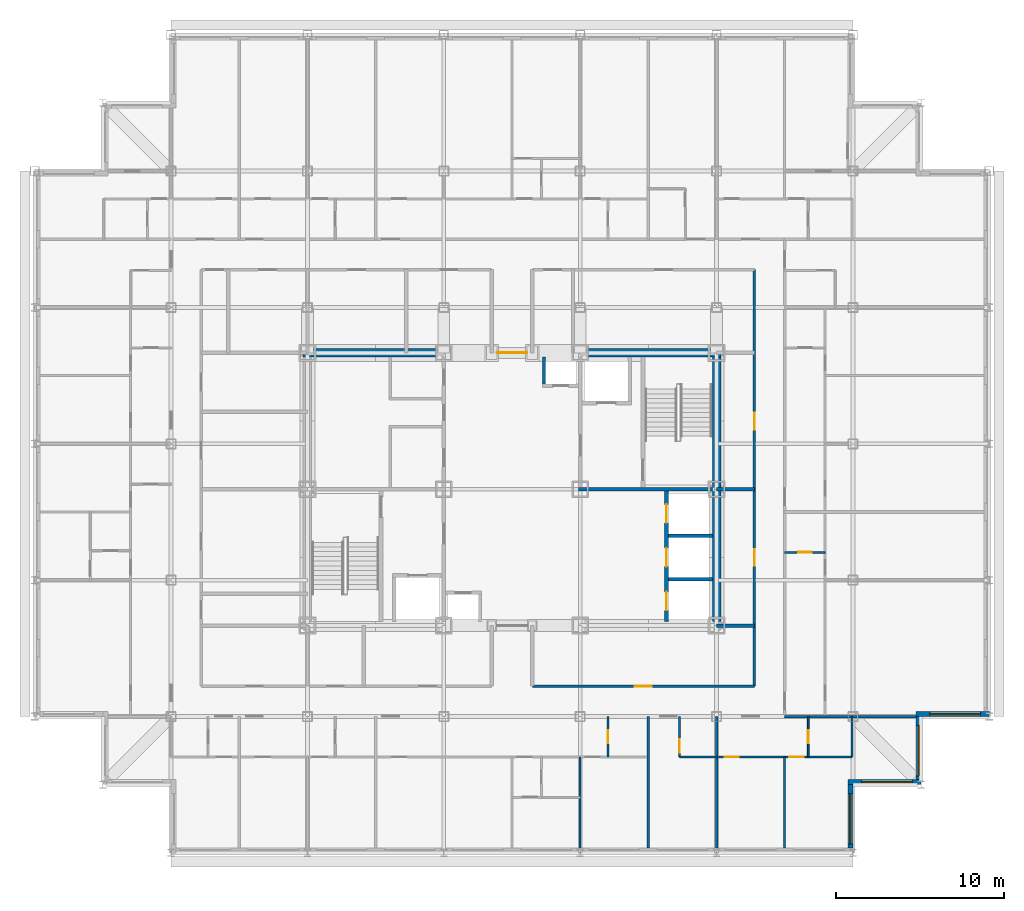
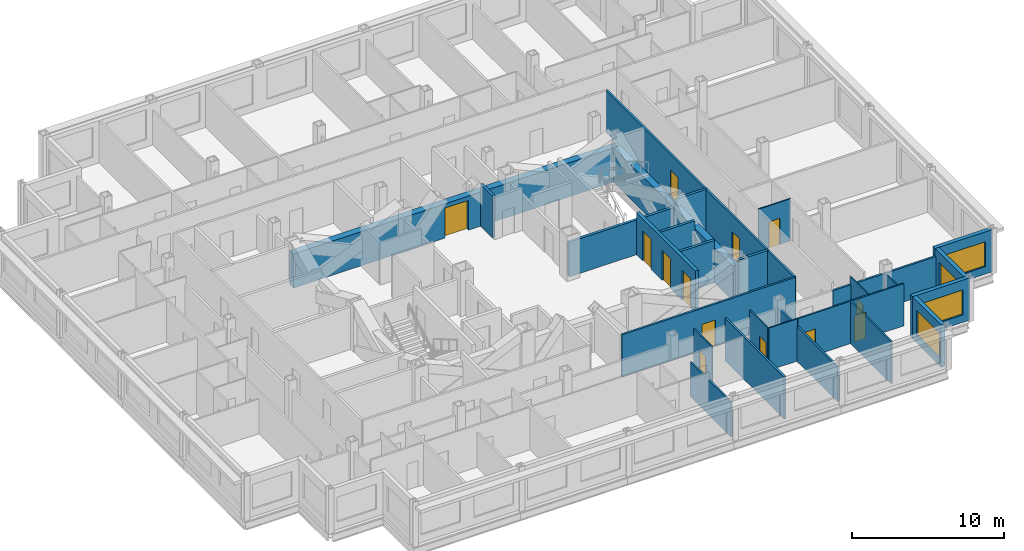
# One storey, part 7 of 12: 27 walls, 13 doors, 4 windows, 17 openings.
"""IFC4 building model written with IfcOpenShell, lengths in metres."""

import ifcopenshell
import ifcopenshell.guid

model = None  # the IFC model being written
_history = None  # IfcOwnerHistory: only IFC2X3 demands one
_inside = {}  # id of a spatial element -> (the spatial element, [elements in it])
_under = {}  # id of a project, library or spatial element -> (it, [spatial elements below it])
_declared = {}  # id of a project -> (the project, [libraries it declares])
_typed = {}  # id of a type object -> (the type object, [elements of that type])
_made_of = {}  # id of a material, layer set ... -> (it, [elements and type objects made of it])


def new_model(schema):
    """Start an empty IFC model of exactly this schema.

    Asked for "IFC4X3", IfcOpenShell would pick the latest addendum, in which some entities
    have other attributes; the version numbers below select the first issue.
    IFC2X3 requires an IfcOwnerHistory on every rooted entity: one is made here for all.
    """
    global model, _history
    if schema == "IFC4X3":
        model = ifcopenshell.file(schema_version=(4, 3, 0, 0))
    else:
        model = ifcopenshell.file(schema=schema)
    _inside.clear()
    _under.clear()
    _declared.clear()
    _typed.clear()
    _made_of.clear()
    _history = None
    if model.schema == "IFC2X3":
        org = make("IfcOrganization", Name="unknown")
        user = make(
            "IfcPersonAndOrganization",
            ThePerson=make("IfcPerson", FamilyName="unknown"),
            TheOrganization=org,
        )
        app = make(
            "IfcApplication",
            ApplicationDeveloper=org,
            Version="unknown",
            ApplicationFullName="unknown",
            ApplicationIdentifier="unknown",
        )
        _history = make(
            "IfcOwnerHistory",
            OwningUser=user,
            OwningApplication=app,
            ChangeAction="ADDED",
            CreationDate=0,
        )
    return model


def make(cls, **values):
    """One entity of the class cls with the attributes given. An attribute that is None is left unset."""
    return model.create_entity(
        cls, **{name: value for name, value in values.items() if value is not None}
    )


def rooted(cls, **values):
    """An entity with a GlobalId (a new one), such as an element, a storey or a relation."""
    return make(cls, GlobalId=ifcopenshell.guid.new(), OwnerHistory=_history, **values)


def si_unit(unit_type, name, prefix=None):
    """IfcSIUnit, for example si_unit("LENGTHUNIT", "METRE", prefix="MILLI")."""
    return make("IfcSIUnit", UnitType=unit_type, Prefix=prefix, Name=name)


def assignment(units):
    """IfcUnitAssignment: the units of a project."""
    return None if units is None else make("IfcUnitAssignment", Units=units)


def point(xyz):
    """IfcCartesianPoint."""
    return None if xyz is None else make("IfcCartesianPoint", Coordinates=xyz)


def direction(xyz):
    """IfcDirection."""
    return None if xyz is None else make("IfcDirection", DirectionRatios=xyz)


def frame(location, z_axis=None, x_axis=None):
    """IfcAxis2Placement3D, a coordinate frame: its origin and axes. An axis left out is left unset."""
    return make(
        "IfcAxis2Placement3D",
        Location=point(location),
        Axis=direction(z_axis),
        RefDirection=direction(x_axis),
    )


def frame_2d(location, x_axis=None):
    """IfcAxis2Placement2D, a coordinate frame in the plane: its origin and x axis."""
    return make(
        "IfcAxis2Placement2D", Location=point(location), RefDirection=direction(x_axis)
    )


def origin():
    """The frame at (0, 0, 0) with its axes left unset."""
    return frame((0.0, 0.0, 0.0))


def place(relative_to, where):
    """IfcLocalPlacement: puts the frame where relative to a parent placement (None: the world)."""
    return make(
        "IfcLocalPlacement", PlacementRelTo=relative_to, RelativePlacement=where
    )


def context(
    kind, dimensions, precision=None, world=None, true_north=None, identifier=None
):
    """IfcGeometricRepresentationContext, for example the 3D "Model" context."""
    return make(
        "IfcGeometricRepresentationContext",
        ContextIdentifier=identifier,
        ContextType=kind,
        CoordinateSpaceDimension=dimensions,
        Precision=precision,
        WorldCoordinateSystem=world,
        TrueNorth=true_north,
    )


def subcontext(parent, identifier, kind, view, scale=None):
    """IfcGeometricRepresentationSubContext, for example "Body" below "Model"."""
    return make(
        "IfcGeometricRepresentationSubContext",
        ContextIdentifier=identifier,
        ContextType=kind,
        ParentContext=parent,
        TargetScale=scale,
        TargetView=view,
    )


def project(units=None, contexts=None):
    """IfcProject with its units and contexts."""
    return rooted(
        "IfcProject",
        Name="project",
        RepresentationContexts=contexts,
        UnitsInContext=assignment(units),
    )


def spatial(cls, under=None, at=None, **own):
    """A site, building, storey or space (cls), placed at a placement, below another one or the project."""
    s = rooted(cls, ObjectPlacement=at, **own)
    if under is not None:
        _under.setdefault(under.id(), (under, []))[1].append(s)
    return s


def profile(cls, at=None, kind="AREA", **sizes):
    """A parametric profile (cls). Its sizes go by their IFC names, for example OverallWidth=200.0."""
    return make(cls, ProfileType=kind, Position=at, **sizes)


def rectangle(**sizes):
    """IfcRectangleProfileDef."""
    return profile("IfcRectangleProfileDef", **sizes)


def extrude(swept, where, along, depth):
    """IfcExtrudedAreaSolid: the profile swept, set in the frame where, extruded along a direction by depth."""
    return make(
        "IfcExtrudedAreaSolid",
        SweptArea=swept,
        Position=where,
        ExtrudedDirection=direction(along),
        Depth=depth,
    )


def shape(context_of_items, identifier, shape_type, items):
    """IfcShapeRepresentation: the items that make up one representation, for example the "Body"."""
    return make(
        "IfcShapeRepresentation",
        ContextOfItems=context_of_items,
        RepresentationIdentifier=identifier,
        RepresentationType=shape_type,
        Items=items,
    )


def material(Name=None, Category=None):
    """IfcMaterial."""
    return make("IfcMaterial", Name=Name, Category=Category)


def layer(
    of_material, thickness, ventilated=None, Name=None, Category=None, Priority=None
):
    """IfcMaterialLayer: one layer of a wall or slab, of a material (None: an air gap)."""
    return make(
        "IfcMaterialLayer",
        Material=of_material,
        LayerThickness=thickness,
        IsVentilated=ventilated,
        Name=Name,
        Category=Category,
        Priority=Priority,
    )


def layer_set(layers, Name=None):
    """IfcMaterialLayerSet."""
    return make("IfcMaterialLayerSet", MaterialLayers=layers, LayerSetName=Name)


def made_of(thing, what):
    """Note that an element or type object is made of a material, layer set ...; save() writes the relation."""
    if what is not None:
        _made_of.setdefault(what.id(), (what, []))[1].append(thing)
    return thing


def type_object(cls, material=None, **own):
    """A type object (cls), such as IfcWallType, which elements share."""
    return made_of(rooted(cls, **own), material)


def element(
    cls,
    number,
    at=None,
    inside=None,
    cuts=None,
    type_object=None,
    material=None,
    context=None,
    identifier="Body",
    shape_type=None,
    held_by="IfcProductDefinitionShape",
    body=None,
    shapes=None,
    **own,
):
    """One element of the class cls, such as IfcWall. Its Tag is "e" and its number.

    at: its placement. inside: the storey or other place that contains it. cuts: it is an
    opening in that element (IfcRelVoidsElement). A single representation is given by context,
    identifier, shape_type and body (its items); several are given by shapes. held_by: the class
    of the entity that holds the representations. save() writes the other relations.
    """
    e = rooted(cls, Tag="e%d" % number, ObjectPlacement=at, **own)
    if body is not None:
        shapes = [shape(context, identifier, shape_type, body)]
    if shapes is not None:
        e.Representation = make(held_by, Representations=shapes)
    if inside is not None:
        _inside.setdefault(inside.id(), (inside, []))[1].append(e)
    if cuts is not None:
        rooted(
            "IfcRelVoidsElement", RelatingBuildingElement=cuts, RelatedOpeningElement=e
        )
    if type_object is not None:
        _typed.setdefault(type_object.id(), (type_object, []))[1].append(e)
    return made_of(e, material)


def fill(opening, filler):
    """IfcRelFillsElement: the door or window that sits in an opening."""
    return rooted(
        "IfcRelFillsElement",
        RelatingOpeningElement=opening,
        RelatedBuildingElement=filler,
    )


def aggregate(whole, parts):
    """IfcRelAggregates: a whole, such as a stair, and the parts it consists of."""
    return rooted("IfcRelAggregates", RelatingObject=whole, RelatedObjects=parts)


def save(model, path):
    """Write the relations noted so far, then the file.

    IfcRelAggregates (storeys below a building ...), IfcRelContainedInSpatialStructure (elements
    in a storey), IfcRelDefinesByType, IfcRelAssociatesMaterial and IfcRelDeclares: one each for
    every whole, place, type object, material and project.
    """
    for whole, parts in _under.values():
        aggregate(whole, parts)
    for where, things in _inside.values():
        rooted(
            "IfcRelContainedInSpatialStructure",
            RelatedElements=things,
            RelatingStructure=where,
        )
    for kind, things in _typed.values():
        rooted("IfcRelDefinesByType", RelatedObjects=things, RelatingType=kind)
    for what, things in _made_of.values():
        rooted("IfcRelAssociatesMaterial", RelatedObjects=things, RelatingMaterial=what)
    for by, libraries in _declared.values():
        rooted("IfcRelDeclares", RelatingContext=by, RelatedDefinitions=libraries)
    model.write(path)


model = new_model("IFC4")

# Units and contexts
model_context = context("Model", 3, precision=1e-05, world=origin(), true_north=direction((0.0, 1.0)))
body_context = subcontext(model_context, "Body", "Model", "MODEL_VIEW")
ifc_project = project(units=[si_unit("LENGTHUNIT", "METRE"), si_unit("AREAUNIT", "SQUARE_METRE"), si_unit("VOLUMEUNIT", "CUBIC_METRE"), si_unit("PLANEANGLEUNIT", "RADIAN"), si_unit("MASSUNIT", "GRAM", prefix="KILO")], contexts=[model_context])

# Site, building, storey
site_placement = place(None, origin())
site = spatial("IfcSite", under=ifc_project, at=site_placement, CompositionType="ELEMENT")
building_placement = place(site_placement, origin())
building = spatial("IfcBuilding", under=site, at=building_placement, Name="Kopane Lantern Tower", CompositionType="ELEMENT")
storey_placement = place(building_placement, frame((0.0, 0.0, 206.39990234375)))
storey = spatial("IfcBuildingStorey", under=building, at=storey_placement, Name="L53", CompositionType="ELEMENT", Elevation=206.39990234375)

# Wall
ifc_material_1 = material(Name="Gypsum board on steel studs", Category="steel")
ifc_layer_1 = layer(ifc_material_1, 0.1201171875)
ifc_layer_set_1 = layer_set([ifc_layer_1], Name="APARTMENT INTERNAL WALL 120")
wall_type_1 = type_object("IfcWallType", Name="APARTMENT INTERNAL WALL 120", PredefinedType="PARTITIONING", material=ifc_layer_set_1)
wall_1_placement = place(storey_placement, frame((32.39990234375, 16.5, 0.0), z_axis=(0.0, 0.0, 1.0), x_axis=(0.0, -1.0, 0.0)))
element("IfcWall", 1, at=wall_1_placement, inside=storey, type_object=wall_type_1, Name="Apartment Internal Wall 120 L53", PredefinedType="PARTITIONING", context=body_context, shape_type="SweptSolid", body=[
    extrude(rectangle(XDim=5.39990234375, YDim=0.1201171875, at=frame_2d((2.699951171875, 0.0))), origin(), (0.0, 0.0, 1.0), 2.77783203125),
])

# Wall, openings, doors
wall_2_placement = place(storey_placement, frame((40.5, 16.5, 0.0), z_axis=(0.0, 0.0, 1.0), x_axis=(1.0, 0.0, 0.0)))
wall_2 = element("IfcWall", 2, at=wall_2_placement, inside=storey, type_object=wall_type_1, Name="Apartment Internal Wall 120 L53", PredefinedType="PARTITIONING", context=body_context, shape_type="SweptSolid", body=[
    extrude(rectangle(XDim=8.050048828125, YDim=0.1201171875, at=frame_2d((4.02490234375, 0.0))), origin(), (0.0, 0.0, 1.0), 3.39013671875),
])
opening_1_placement = place(wall_2_placement, frame((0.47509765625, 0.0, 0.0)))
opening_1 = element("IfcOpeningElement", 3, at=opening_1_placement, cuts=wall_2, Name="Opening L53-067", PredefinedType="OPENING", context=body_context, shape_type="SweptSolid", body=[
    extrude(rectangle(XDim=0.85009765625, YDim=2.10009765625, at=frame_2d((0.425048828125, 1.050048828125))), frame((0.0, 0.070068359375, 0.0), z_axis=(0.0, -1.0, 0.0), x_axis=(1.0, 0.0, 0.0)), (0.0, 0.0, 1.0), 0.14013671875),
])
opening_2_placement = place(wall_2_placement, frame((4.324951171875, 0.0, 0.0)))
opening_2 = element("IfcOpeningElement", 4, at=opening_2_placement, cuts=wall_2, Name="Opening L53-069", PredefinedType="OPENING", context=body_context, shape_type="SweptSolid", body=[
    extrude(rectangle(XDim=0.85009765625, YDim=2.10009765625, at=frame_2d((0.425048828125, 1.050048828125))), frame((0.0, 0.070068359375, 0.0), z_axis=(0.0, -1.0, 0.0), x_axis=(1.0, 0.0, 0.0)), (0.0, 0.0, 1.0), 0.14013671875),
])
ifc_material_2 = material(Name="Timber door set", Category="wood")
door_type_1 = type_object("IfcDoorType", Name="DOOR D4 850x2100", OperationType="SINGLE_SWING_LEFT", PredefinedType="DOOR", material=ifc_material_2)
door_1_placement = place(opening_1_placement, origin())
door_1 = element("IfcDoor", 5, at=door_1_placement, inside=storey, type_object=door_type_1, Name="Door L53-067", OperationType="SINGLE_SWING_LEFT", OverallHeight=2.10009765625, OverallWidth=0.85009765625, PredefinedType="DOOR", context=body_context, shape_type="SweptSolid", body=[
    extrude(rectangle(XDim=0.85009765625, YDim=2.10009765625, at=frame_2d((0.425048828125, 1.050048828125))), frame((0.0, 0.02490234375, 0.0), z_axis=(0.0, -1.0, 0.0), x_axis=(1.0, 0.0, 0.0)), (0.0, 0.0, 1.0), 0.050048828125),
])
fill(opening_1, door_1)
door_2_placement = place(opening_2_placement, origin())
door_2 = element("IfcDoor", 6, at=door_2_placement, inside=storey, type_object=door_type_1, Name="Door L53-069", OperationType="SINGLE_SWING_RIGHT", OverallHeight=2.10009765625, OverallWidth=0.85009765625, PredefinedType="DOOR", context=body_context, shape_type="SweptSolid", body=[
    extrude(rectangle(XDim=0.85009765625, YDim=2.10009765625, at=frame_2d((0.425048828125, 1.050048828125))), frame((0.0, 0.02490234375, 0.0), z_axis=(0.0, -1.0, 0.0), x_axis=(1.0, 0.0, 0.0)), (0.0, 0.0, 1.0), 0.050048828125),
])
fill(opening_2, door_2)

# Wall
wall_3_placement = place(storey_placement, frame((44.550048828125, 16.5, 0.0), z_axis=(0.0, 0.0, 1.0), x_axis=(0.0, -1.0, 0.0)))
element("IfcWall", 7, at=wall_3_placement, inside=storey, type_object=wall_type_1, Name="Apartment Internal Wall 120 L53", PredefinedType="PARTITIONING", context=body_context, shape_type="SweptSolid", body=[
    extrude(rectangle(XDim=5.39990234375, YDim=0.1201171875, at=frame_2d((2.699951171875, 0.0))), origin(), (0.0, 0.0, 1.0), 3.39013671875),
])

# Wall, opening, door
ifc_material_3 = material(Name="Moisture-resistant board on steel studs", Category="steel")
ifc_layer_2 = layer(ifc_material_3, 0.10009765625)
ifc_layer_set_2 = layer_set([ifc_layer_2], Name="BATHROOM WALL 100")
wall_type_2 = type_object("IfcWallType", Name="BATHROOM WALL 100", PredefinedType="PARTITIONING", material=ifc_layer_set_2)
wall_4_placement = place(storey_placement, frame((34.050048828125, 18.89990234375, 0.0), z_axis=(0.0, 0.0, 1.0), x_axis=(0.0, -1.0, 0.0)))
wall_4 = element("IfcWall", 8, at=wall_4_placement, inside=storey, type_object=wall_type_2, Name="Bathroom Wall 100 L53", PredefinedType="PARTITIONING", context=body_context, shape_type="SweptSolid", body=[
    extrude(rectangle(XDim=2.39990234375, YDim=0.10009765625, at=frame_2d((1.199951171875, 0.0))), origin(), (0.0, 0.0, 1.0), 3.39013671875),
])
opening_3_placement = place(wall_4_placement, frame((0.800048828125, 0.0, 0.0)))
opening_3 = element("IfcOpeningElement", 9, at=opening_3_placement, cuts=wall_4, Name="Opening L53-021", PredefinedType="OPENING", context=body_context, shape_type="SweptSolid", body=[
    extrude(rectangle(XDim=0.800048828125, YDim=2.10009765625, at=frame_2d((0.39990234375, 1.050048828125))), frame((0.0, 0.06005859375, 0.0), z_axis=(0.0, -1.0, 0.0), x_axis=(1.0, 0.0, 0.0)), (0.0, 0.0, 1.0), 0.1201171875),
])
ifc_material_4 = material(Name="Timber door set", Category="wood")
door_type_2 = type_object("IfcDoorType", Name="DOOR D2 800x2100", OperationType="SINGLE_SWING_LEFT", PredefinedType="DOOR", material=ifc_material_4)
door_3_placement = place(opening_3_placement, origin())
door_3 = element("IfcDoor", 10, at=door_3_placement, inside=storey, type_object=door_type_2, Name="Door L53-021", OperationType="SINGLE_SWING_LEFT", OverallHeight=2.10009765625, OverallWidth=0.800048828125, PredefinedType="DOOR", context=body_context, shape_type="SweptSolid", body=[
    extrude(rectangle(XDim=0.800048828125, YDim=2.10009765625, at=frame_2d((0.39990234375, 1.050048828125))), frame((0.0, 0.02490234375, 0.0), z_axis=(0.0, -1.0, 0.0), x_axis=(1.0, 0.0, 0.0)), (0.0, 0.0, 1.0), 0.050048828125),
])
fill(opening_3, door_3)

# Wall
wall_5_placement = place(storey_placement, frame((38.300048828125, 16.5, 0.0), z_axis=(0.0, 0.0, 1.0), x_axis=(1.0, 0.0, 0.0)))
element("IfcWall", 11, at=wall_5_placement, inside=storey, type_object=wall_type_2, Name="Bathroom Wall 100 L53", PredefinedType="PARTITIONING", context=body_context, shape_type="SweptSolid", body=[
    extrude(rectangle(XDim=2.199951171875, YDim=0.10009765625, at=frame_2d((1.10009765625, 0.0))), origin(), (0.0, 0.0, 1.0), 3.39013671875),
])

# Wall, opening, door
wall_6_placement = place(storey_placement, frame((38.300048828125, 18.89990234375, 0.0), z_axis=(0.0, 0.0, 1.0), x_axis=(0.0, -1.0, 0.0)))
wall_6 = element("IfcWall", 12, at=wall_6_placement, inside=storey, type_object=wall_type_2, Name="Bathroom Wall 100 L53", PredefinedType="PARTITIONING", context=body_context, shape_type="SweptSolid", body=[
    extrude(rectangle(XDim=2.39990234375, YDim=0.10009765625, at=frame_2d((1.199951171875, 0.0))), origin(), (0.0, 0.0, 1.0), 3.39013671875),
])
opening_4_placement = place(wall_6_placement, frame((1.35009765625, 0.0, 0.0)))
opening_4 = element("IfcOpeningElement", 13, at=opening_4_placement, cuts=wall_6, Name="Opening L53-027", PredefinedType="OPENING", context=body_context, shape_type="SweptSolid", body=[
    extrude(rectangle(XDim=0.800048828125, YDim=2.10009765625, at=frame_2d((0.39990234375, 1.050048828125))), frame((0.0, 0.06005859375, 0.0), z_axis=(0.0, -1.0, 0.0), x_axis=(1.0, 0.0, 0.0)), (0.0, 0.0, 1.0), 0.1201171875),
])
door_4_placement = place(opening_4_placement, origin())
door_4 = element("IfcDoor", 14, at=door_4_placement, inside=storey, type_object=door_type_2, Name="Door L53-027", OperationType="SINGLE_SWING_RIGHT", OverallHeight=2.10009765625, OverallWidth=0.800048828125, PredefinedType="DOOR", context=body_context, shape_type="SweptSolid", body=[
    extrude(rectangle(XDim=0.800048828125, YDim=2.10009765625, at=frame_2d((0.39990234375, 1.050048828125))), frame((0.0, 0.02490234375, 0.0), z_axis=(0.0, -1.0, 0.0), x_axis=(1.0, 0.0, 0.0)), (0.0, 0.0, 1.0), 0.050048828125),
])
fill(opening_4, door_4)

wall_7_placement = place(storey_placement, frame((44.550048828125, 28.64990234375, 0.0), z_axis=(0.0, 0.0, 1.0), x_axis=(1.0, 0.0, 0.0)))
wall_7 = element("IfcWall", 15, at=wall_7_placement, inside=storey, type_object=wall_type_2, Name="Bathroom Wall 100 L53", PredefinedType="PARTITIONING", context=body_context, shape_type="SweptSolid", body=[
    extrude(rectangle(XDim=2.39990234375, YDim=0.10009765625, at=frame_2d((1.199951171875, 0.0))), origin(), (0.0, 0.0, 1.0), 3.39013671875),
])
opening_5_placement = place(wall_7_placement, frame((0.800048828125, 0.0, 0.0)))
opening_5 = element("IfcOpeningElement", 16, at=opening_5_placement, cuts=wall_7, Name="Opening L53-053", PredefinedType="OPENING", context=body_context, shape_type="SweptSolid", body=[
    extrude(rectangle(XDim=0.800048828125, YDim=2.10009765625, at=frame_2d((0.39990234375, 1.050048828125))), frame((0.0, 0.06005859375, 0.0), z_axis=(0.0, -1.0, 0.0), x_axis=(1.0, 0.0, 0.0)), (0.0, 0.0, 1.0), 0.1201171875),
])
door_5_placement = place(opening_5_placement, origin())
door_5 = element("IfcDoor", 17, at=door_5_placement, inside=storey, type_object=door_type_2, Name="Door L53-053", OperationType="SINGLE_SWING_LEFT", OverallHeight=2.10009765625, OverallWidth=0.800048828125, PredefinedType="DOOR", context=body_context, shape_type="SweptSolid", body=[
    extrude(rectangle(XDim=0.800048828125, YDim=2.10009765625, at=frame_2d((0.39990234375, 1.050048828125))), frame((0.0, 0.02490234375, 0.0), z_axis=(0.0, -1.0, 0.0), x_axis=(1.0, 0.0, 0.0)), (0.0, 0.0, 1.0), 0.050048828125),
])
fill(opening_5, door_5)

wall_8_placement = place(storey_placement, frame((45.949951171875, 18.89990234375, 0.0), z_axis=(0.0, 0.0, 1.0), x_axis=(0.0, -1.0, 0.0)))
wall_8 = element("IfcWall", 18, at=wall_8_placement, inside=storey, type_object=wall_type_2, Name="Bathroom Wall 100 L53", PredefinedType="PARTITIONING", context=body_context, shape_type="SweptSolid", body=[
    extrude(rectangle(XDim=2.39990234375, YDim=0.10009765625, at=frame_2d((1.199951171875, 0.0))), origin(), (0.0, 0.0, 1.0), 3.39013671875),
])
opening_6_placement = place(wall_8_placement, frame((0.800048828125, 0.0, 0.0)))
opening_6 = element("IfcOpeningElement", 19, at=opening_6_placement, cuts=wall_8, Name="Opening L53-068", PredefinedType="OPENING", context=body_context, shape_type="SweptSolid", body=[
    extrude(rectangle(XDim=0.800048828125, YDim=2.10009765625, at=frame_2d((0.39990234375, 1.050048828125))), frame((0.0, 0.06005859375, 0.0), z_axis=(0.0, -1.0, 0.0), x_axis=(1.0, 0.0, 0.0)), (0.0, 0.0, 1.0), 0.1201171875),
])
door_6_placement = place(opening_6_placement, origin())
door_6 = element("IfcDoor", 20, at=door_6_placement, inside=storey, type_object=door_type_2, Name="Door L53-068", OperationType="SINGLE_SWING_LEFT", OverallHeight=2.10009765625, OverallWidth=0.800048828125, PredefinedType="DOOR", context=body_context, shape_type="SweptSolid", body=[
    extrude(rectangle(XDim=0.800048828125, YDim=2.10009765625, at=frame_2d((0.39990234375, 1.050048828125))), frame((0.0, 0.02490234375, 0.0), z_axis=(0.0, -1.0, 0.0), x_axis=(1.0, 0.0, 0.0)), (0.0, 0.0, 1.0), 0.050048828125),
])
fill(opening_6, door_6)

# Wall
wall_9_placement = place(storey_placement, frame((48.550048828125, 18.89990234375, 0.0), z_axis=(0.0, 0.0, 1.0), x_axis=(0.0, -1.0, 0.0)))
element("IfcWall", 21, at=wall_9_placement, inside=storey, type_object=wall_type_2, Name="Bathroom Wall 100 L53", PredefinedType="PARTITIONING", context=body_context, shape_type="SweptSolid", body=[
    extrude(rectangle(XDim=2.39990234375, YDim=0.10009765625, at=frame_2d((1.199951171875, 0.0))), origin(), (0.0, 0.0, 1.0), 2.77783203125),
])

# Wall, opening, door
ifc_material_5 = material(Name="Gypsum shaft wall EI 120", Category="gypsum")
ifc_layer_3 = layer(ifc_material_5, 0.5)
ifc_layer_set_3 = layer_set([ifc_layer_3], Name="CORE PERIMETER WALL 500 EI 120")
wall_type_3 = type_object("IfcWallType", Name="CORE PERIMETER WALL 500 EI 120", PredefinedType="SOLIDWALL", material=ifc_layer_set_3)
wall_10_placement = place(storey_placement, frame((15.949951171875, 40.5, 0.0), z_axis=(0.0, 0.0, 1.0), x_axis=(1.0, 0.0, 0.0)))
wall_10 = element("IfcWall", 22, at=wall_10_placement, inside=storey, type_object=wall_type_3, Name="Core shaft wall L53 PN", PredefinedType="SOLIDWALL", context=body_context, shape_type="SweptSolid", body=[
    extrude(rectangle(XDim=24.800048828125, YDim=0.5, at=frame_2d((12.39990234375, 0.0))), origin(), (0.0, 0.0, 1.0), 2.739990234375),
])
opening_7_placement = place(wall_10_placement, frame((11.5, 0.0, 0.0)))
opening_7 = element("IfcOpeningElement", 23, at=opening_7_placement, cuts=wall_10, Name="Opening 53.CE-N", PredefinedType="OPENING", context=body_context, shape_type="SweptSolid", body=[
    extrude(rectangle(XDim=1.800048828125, YDim=2.39990234375, at=frame_2d((0.89990234375, 1.199951171875))), frame((0.0, 0.260009765625, 0.0), z_axis=(0.0, -1.0, 0.0), x_axis=(1.0, 0.0, 0.0)), (0.0, 0.0, 1.0), 0.52001953125),
])
ifc_material_6 = material(Name="Steel door set", Category="steel")
door_type_3 = type_object("IfcDoorType", Name="CORE ENTRY DOOR 1800x2400 FD60S", OperationType="DOUBLE_DOOR_SINGLE_SWING", PredefinedType="DOOR", material=ifc_material_6)
door_7_placement = place(opening_7_placement, origin())
door_7 = element("IfcDoor", 24, at=door_7_placement, inside=storey, type_object=door_type_3, Name="Core entry door L53 north", OperationType="DOUBLE_DOOR_SINGLE_SWING", OverallHeight=2.39990234375, OverallWidth=1.800048828125, PredefinedType="DOOR", context=body_context, shape_type="SweptSolid", body=[
    extrude(rectangle(XDim=1.800048828125, YDim=2.39990234375, at=frame_2d((0.89990234375, 1.199951171875))), frame((0.0, 0.02490234375, 0.0), z_axis=(0.0, -1.0, 0.0), x_axis=(1.0, 0.0, 0.0)), (0.0, 0.0, 1.0), 0.050048828125),
])
fill(opening_7, door_7)

# Wall
wall_11_placement = place(storey_placement, frame((40.5, 24.550048828125, 0.0), z_axis=(0.0, 0.0, 1.0), x_axis=(0.0, 1.0, 0.0)))
element("IfcWall", 25, at=wall_11_placement, inside=storey, type_object=wall_type_3, Name="Core shaft wall L53 PE", PredefinedType="SOLIDWALL", context=body_context, shape_type="SweptSolid", body=[
    extrude(rectangle(XDim=15.699951171875, YDim=0.5, at=frame_2d((7.85009765625, 0.0))), origin(), (0.0, 0.0, 1.0), 2.77783203125),
])

# Wall, openings, doors
ifc_material_7 = material(Name="Gypsum shaft wall EI 120", Category="gypsum")
ifc_layer_4 = layer(ifc_material_7, 0.25)
ifc_layer_set_4 = layer_set([ifc_layer_4], Name="CORE SHAFT WALL 250 EI 120")
wall_type_4 = type_object("IfcWallType", Name="CORE SHAFT WALL 250 EI 120", PredefinedType="SOLIDWALL", material=ifc_layer_set_4)
wall_12_placement = place(storey_placement, frame((37.52490234375, 24.550048828125, 0.0), z_axis=(0.0, 0.0, 1.0), x_axis=(0.0, 1.0, 0.0)))
wall_12 = element("IfcWall", 26, at=wall_12_placement, inside=storey, type_object=wall_type_4, Name="Core shaft wall L53 XLR", PredefinedType="SOLIDWALL", context=body_context, shape_type="SweptSolid", body=[
    extrude(rectangle(XDim=7.75, YDim=0.25, at=frame_2d((3.875, 0.0))), origin(), (0.0, 0.0, 1.0), 3.39013671875),
])
opening_8_placement = place(wall_12_placement, frame((0.64990234375, 0.0, 0.0)))
opening_8 = element("IfcOpeningElement", 27, at=opening_8_placement, cuts=wall_12, Name="Opening 53.LD-LR1", PredefinedType="OPENING", context=body_context, shape_type="SweptSolid", body=[
    extrude(rectangle(XDim=1.10009765625, YDim=2.39990234375, at=frame_2d((0.550048828125, 1.199951171875))), frame((0.0, 0.135009765625, 0.0), z_axis=(0.0, -1.0, 0.0), x_axis=(1.0, 0.0, 0.0)), (0.0, 0.0, 1.0), 0.27001953125),
])
opening_9_placement = place(wall_12_placement, frame((3.25, 0.0, 0.0)))
opening_9 = element("IfcOpeningElement", 28, at=opening_9_placement, cuts=wall_12, Name="Opening 53.LD-LR2", PredefinedType="OPENING", context=body_context, shape_type="SweptSolid", body=[
    extrude(rectangle(XDim=1.10009765625, YDim=2.39990234375, at=frame_2d((0.550048828125, 1.199951171875))), frame((0.0, 0.135009765625, 0.0), z_axis=(0.0, -1.0, 0.0), x_axis=(1.0, 0.0, 0.0)), (0.0, 0.0, 1.0), 0.27001953125),
])
opening_10_placement = place(wall_12_placement, frame((5.85009765625, 0.0, 0.0)))
opening_10 = element("IfcOpeningElement", 29, at=opening_10_placement, cuts=wall_12, Name="Opening 53.LD-LR3", PredefinedType="OPENING", context=body_context, shape_type="SweptSolid", body=[
    extrude(rectangle(XDim=1.10009765625, YDim=2.39990234375, at=frame_2d((0.550048828125, 1.199951171875))), frame((0.0, 0.135009765625, 0.0), z_axis=(0.0, -1.0, 0.0), x_axis=(1.0, 0.0, 0.0)), (0.0, 0.0, 1.0), 0.27001953125),
])
ifc_material_8 = material(Name="Steel door set", Category="steel")
door_type_4 = type_object("IfcDoorType", Name="LIFT LANDING DOOR 1100x2400 FD60", OperationType="DOUBLE_DOOR_SLIDING", PredefinedType="DOOR", material=ifc_material_8)
door_8_placement = place(opening_8_placement, origin())
door_8 = element("IfcDoor", 30, at=door_8_placement, inside=storey, type_object=door_type_4, Name="Landing door LR1 L53", OperationType="DOUBLE_DOOR_SLIDING", OverallHeight=2.39990234375, OverallWidth=1.10009765625, PredefinedType="DOOR", context=body_context, shape_type="SweptSolid", body=[
    extrude(rectangle(XDim=1.10009765625, YDim=2.39990234375, at=frame_2d((0.550048828125, 1.199951171875))), frame((0.0, 0.02490234375, 0.0), z_axis=(0.0, -1.0, 0.0), x_axis=(1.0, 0.0, 0.0)), (0.0, 0.0, 1.0), 0.050048828125),
])
fill(opening_8, door_8)
door_9_placement = place(opening_9_placement, origin())
door_9 = element("IfcDoor", 31, at=door_9_placement, inside=storey, type_object=door_type_4, Name="Landing door LR2 L53", OperationType="DOUBLE_DOOR_SLIDING", OverallHeight=2.39990234375, OverallWidth=1.10009765625, PredefinedType="DOOR", context=body_context, shape_type="SweptSolid", body=[
    extrude(rectangle(XDim=1.10009765625, YDim=2.39990234375, at=frame_2d((0.550048828125, 1.199951171875))), frame((0.0, 0.02490234375, 0.0), z_axis=(0.0, -1.0, 0.0), x_axis=(1.0, 0.0, 0.0)), (0.0, 0.0, 1.0), 0.050048828125),
])
fill(opening_9, door_9)
door_10_placement = place(opening_10_placement, origin())
door_10 = element("IfcDoor", 32, at=door_10_placement, inside=storey, type_object=door_type_4, Name="Landing door LR3 L53", OperationType="DOUBLE_DOOR_SLIDING", OverallHeight=2.39990234375, OverallWidth=1.10009765625, PredefinedType="DOOR", context=body_context, shape_type="SweptSolid", body=[
    extrude(rectangle(XDim=1.10009765625, YDim=2.39990234375, at=frame_2d((0.550048828125, 1.199951171875))), frame((0.0, 0.02490234375, 0.0), z_axis=(0.0, -1.0, 0.0), x_axis=(1.0, 0.0, 0.0)), (0.0, 0.0, 1.0), 0.050048828125),
])
fill(opening_10, door_10)

ifc_material_9 = material(Name="Gypsum board on steel studs", Category="steel")
ifc_layer_5 = layer(ifc_material_9, 0.14990234375)
ifc_layer_set_5 = layer_set([ifc_layer_5], Name="CORRIDOR WALL 150 EI 60")
wall_type_5 = type_object("IfcWallType", Name="CORRIDOR WALL 150 EI 60", PredefinedType="PARTITIONING", material=ifc_layer_set_5)
wall_13_placement = place(storey_placement, frame((42.75, 20.699951171875, 0.0), z_axis=(0.0, 0.0, 1.0), x_axis=(0.0, 1.0, 0.0)))
wall_13 = element("IfcWall", 33, at=wall_13_placement, inside=storey, type_object=wall_type_5, Name="Corridor Wall 150 Ei 60 L53", PredefinedType="PARTITIONING", context=body_context, shape_type="SweptSolid", body=[
    extrude(rectangle(XDim=24.75, YDim=0.14990234375, at=frame_2d((12.375, 0.0))), origin(), (0.0, 0.0, 1.0), 3.39013671875),
])
opening_11_placement = place(wall_13_placement, frame((7.14990234375, 0.0, 0.0)))
opening_11 = element("IfcOpeningElement", 34, at=opening_11_placement, cuts=wall_13, Name="Opening L53-005", PredefinedType="OPENING", context=body_context, shape_type="SweptSolid", body=[
    extrude(rectangle(XDim=1.0, YDim=2.10009765625, at=frame_2d((0.5, 1.050048828125))), frame((0.0, 0.0849609375, 0.0), z_axis=(0.0, -1.0, 0.0), x_axis=(1.0, 0.0, 0.0)), (0.0, 0.0, 1.0), 0.169921875),
])
opening_12_placement = place(wall_13_placement, frame((15.25, 0.0, 0.0)))
opening_12 = element("IfcOpeningElement", 35, at=opening_12_placement, cuts=wall_13, Name="Opening L53-006", PredefinedType="OPENING", context=body_context, shape_type="SweptSolid", body=[
    extrude(rectangle(XDim=1.0, YDim=2.10009765625, at=frame_2d((0.5, 1.050048828125))), frame((0.0, 0.0849609375, 0.0), z_axis=(0.0, -1.0, 0.0), x_axis=(1.0, 0.0, 0.0)), (0.0, 0.0, 1.0), 0.169921875),
])
ifc_material_10 = material(Name="Steel door set", Category="steel")
door_type_5 = type_object("IfcDoorType", Name="DOOR D5 1000x2100 FD60", OperationType="SINGLE_SWING_LEFT", PredefinedType="DOOR", material=ifc_material_10)
door_11_placement = place(opening_11_placement, origin())
door_11 = element("IfcDoor", 36, at=door_11_placement, inside=storey, type_object=door_type_5, Name="Door L53-005", OperationType="SINGLE_SWING_LEFT", OverallHeight=2.10009765625, OverallWidth=1.0, PredefinedType="DOOR", context=body_context, shape_type="SweptSolid", body=[
    extrude(rectangle(XDim=1.0, YDim=2.10009765625, at=frame_2d((0.5, 1.050048828125))), frame((0.0, 0.02490234375, 0.0), z_axis=(0.0, -1.0, 0.0), x_axis=(1.0, 0.0, 0.0)), (0.0, 0.0, 1.0), 0.050048828125),
])
fill(opening_11, door_11)
door_12_placement = place(opening_12_placement, origin())
door_12 = element("IfcDoor", 37, at=door_12_placement, inside=storey, type_object=door_type_5, Name="Door L53-006", OperationType="SINGLE_SWING_RIGHT", OverallHeight=2.10009765625, OverallWidth=1.0, PredefinedType="DOOR", context=body_context, shape_type="SweptSolid", body=[
    extrude(rectangle(XDim=1.0, YDim=2.10009765625, at=frame_2d((0.5, 1.050048828125))), frame((0.0, 0.02490234375, 0.0), z_axis=(0.0, -1.0, 0.0), x_axis=(1.0, 0.0, 0.0)), (0.0, 0.0, 1.0), 0.050048828125),
])
fill(opening_12, door_12)

# Wall, opening, door
wall_14_placement = place(storey_placement, frame((29.56005859375, 20.699951171875, 0.0), z_axis=(0.0, 0.0, 1.0), x_axis=(1.0, 0.0, 0.0)))
wall_14 = element("IfcWall", 38, at=wall_14_placement, inside=storey, type_object=wall_type_5, Name="Corridor Wall 150 Ei 60 L53", PredefinedType="PARTITIONING", context=body_context, shape_type="SweptSolid", body=[
    extrude(rectangle(XDim=13.18994140625, YDim=0.14990234375, at=frame_2d((6.594970703125, 0.0))), origin(), (0.0, 0.0, 1.0), 3.39013671875),
])
opening_13_placement = place(wall_14_placement, frame((6.090087890625, 0.0, 0.0)))
opening_13 = element("IfcOpeningElement", 39, at=opening_13_placement, cuts=wall_14, Name="Opening L53-010", PredefinedType="OPENING", context=body_context, shape_type="SweptSolid", body=[
    extrude(rectangle(XDim=1.0, YDim=2.10009765625, at=frame_2d((0.5, 1.050048828125))), frame((0.0, 0.0849609375, 0.0), z_axis=(0.0, -1.0, 0.0), x_axis=(1.0, 0.0, 0.0)), (0.0, 0.0, 1.0), 0.169921875),
])
door_13_placement = place(opening_13_placement, origin())
door_13 = element("IfcDoor", 40, at=door_13_placement, inside=storey, type_object=door_type_5, Name="Door L53-010", OperationType="SINGLE_SWING_LEFT", OverallHeight=2.10009765625, OverallWidth=1.0, PredefinedType="DOOR", context=body_context, shape_type="SweptSolid", body=[
    extrude(rectangle(XDim=1.0, YDim=2.10009765625, at=frame_2d((0.5, 1.050048828125))), frame((0.0, 0.02490234375, 0.0), z_axis=(0.0, -1.0, 0.0), x_axis=(1.0, 0.0, 0.0)), (0.0, 0.0, 1.0), 0.050048828125),
])
fill(opening_13, door_13)

# Walls
ifc_material_11 = material(Name="Gypsum board on steel studs", Category="steel")
ifc_layer_6 = layer(ifc_material_11, 0.14990234375)
ifc_layer_set_6 = layer_set([ifc_layer_6], Name="DEMISING WALL 150 EI 60")
wall_type_6 = type_object("IfcWallType", Name="DEMISING WALL 150 EI 60", PredefinedType="PARTITIONING", material=ifc_layer_set_6)
wall_15_placement = place(storey_placement, frame((36.449951171875, 18.89990234375, 0.0), z_axis=(0.0, 0.0, 1.0), x_axis=(0.0, -1.0, 0.0)))
element("IfcWall", 41, at=wall_15_placement, inside=storey, type_object=wall_type_6, Name="Demising Wall 150 Ei 60 L53", PredefinedType="PARTITIONING", context=body_context, shape_type="SweptSolid", body=[
    extrude(rectangle(XDim=7.7998046875, YDim=0.14990234375, at=frame_2d((3.89990234375, 0.0))), origin(), (0.0, 0.0, 1.0), 3.39013671875),
])
wall_16_placement = place(storey_placement, frame((44.550048828125, 18.89990234375, 0.0), z_axis=(0.0, 0.0, 1.0), x_axis=(1.0, 0.0, 0.0)))
element("IfcWall", 42, at=wall_16_placement, inside=storey, type_object=wall_type_6, Name="Demising Wall 150 Ei 60 L53", PredefinedType="PARTITIONING", context=body_context, shape_type="SweptSolid", body=[
    extrude(rectangle(XDim=7.800048828125, YDim=0.14990234375, at=frame_2d((3.89990234375, 0.0))), origin(), (0.0, 0.0, 1.0), 2.77783203125),
])
wall_17_placement = place(storey_placement, frame((40.5, 18.89990234375, 0.0), z_axis=(0.0, 0.0, 1.0), x_axis=(0.0, -1.0, 0.0)))
element("IfcWall", 43, at=wall_17_placement, inside=storey, type_object=wall_type_6, Name="Demising Wall 150 Ei 60 L53", PredefinedType="PARTITIONING", context=body_context, shape_type="SweptSolid", body=[
    extrude(rectangle(XDim=7.7998046875, YDim=0.14990234375, at=frame_2d((3.89990234375, 0.0))), origin(), (0.0, 0.0, 1.0), 2.77783203125),
])

# Wall, opening, window
ifc_material_12 = material(Name="Terracotta rainscreen on light steel framing", Category="masonry")
ifc_layer_7 = layer(ifc_material_12, 0.300048828125)
ifc_layer_set_7 = layer_set([ifc_layer_7], Name="EXTERNAL WALL EW1 300 TERRACOTTA")
wall_type_7 = type_object("IfcWallType", Name="EXTERNAL WALL EW1 300 TERRACOTTA", PredefinedType="SOLIDWALL", material=ifc_layer_set_7)
wall_18_placement = place(storey_placement, frame((48.449951171875, 11.10009765625, 0.0), z_axis=(0.0, 0.0, 1.0), x_axis=(0.0, 1.0, 0.0)))
wall_18 = element("IfcWall", 44, at=wall_18_placement, inside=storey, type_object=wall_type_7, Name="External wall E L53", PredefinedType="SOLIDWALL", context=body_context, shape_type="SweptSolid", body=[
    extrude(rectangle(XDim=3.75, YDim=0.300048828125, at=frame_2d((1.875, 0.0))), origin(), (0.0, 0.0, 1.0), 3.39013671875),
])
opening_14_placement = place(wall_18_placement, frame((0.22509765625, 0.0, 0.60009765625)))
opening_14 = element("IfcOpeningElement", 45, at=opening_14_placement, cuts=wall_18, Name="Opening WR300200", PredefinedType="OPENING", context=body_context, shape_type="SweptSolid", body=[
    extrude(rectangle(XDim=3.0, YDim=2.0, at=frame_2d((1.5, 1.0))), frame((0.0, 0.159912109375, 0.0), z_axis=(0.0, -1.0, 0.0), x_axis=(1.0, 0.0, 0.0)), (0.0, 0.0, 1.0), 0.320068359375),
])
ifc_material_13 = material(Name="Aluminium and clear glass", Category="aluminium")
window_type = type_object("IfcWindowType", Name="RIBBON WINDOW WR300200 3000x2000", PartitioningType="SINGLE_PANEL", PredefinedType="WINDOW", material=ifc_material_13)
window_1_placement = place(opening_14_placement, origin())
window_1 = element("IfcWindow", 46, at=window_1_placement, inside=storey, type_object=window_type, Name="Window E L53", OverallHeight=2.0, OverallWidth=3.0, PartitioningType="SINGLE_PANEL", PredefinedType="WINDOW", context=body_context, shape_type="SweptSolid", body=[
    extrude(rectangle(XDim=3.0, YDim=2.0, at=frame_2d((1.5, 1.0))), frame((0.0, 0.030029296875, 0.0), z_axis=(0.0, -1.0, 0.0), x_axis=(1.0, 0.0, 0.0)), (0.0, 0.0, 1.0), 0.06005859375),
])
fill(opening_14, window_1)

wall_19_placement = place(storey_placement, frame((48.300048828125, 15.0, 0.0), z_axis=(0.0, 0.0, 1.0), x_axis=(1.0, 0.0, 0.0)))
wall_19 = element("IfcWall", 47, at=wall_19_placement, inside=storey, type_object=wall_type_7, Name="External wall S L53", PredefinedType="SOLIDWALL", context=body_context, shape_type="SweptSolid", body=[
    extrude(rectangle(XDim=4.349853515625, YDim=0.300048828125, at=frame_2d((2.1748046875, 0.0))), origin(), (0.0, 0.0, 1.0), 3.39013671875),
])
opening_15_placement = place(wall_19_placement, frame((0.824951171875, 0.0, 0.60009765625)))
opening_15 = element("IfcOpeningElement", 48, at=opening_15_placement, cuts=wall_19, Name="Opening WR300200", PredefinedType="OPENING", context=body_context, shape_type="SweptSolid", body=[
    extrude(rectangle(XDim=3.0, YDim=2.0, at=frame_2d((1.5, 1.0))), frame((0.0, 0.159912109375, 0.0), z_axis=(0.0, -1.0, 0.0), x_axis=(1.0, 0.0, 0.0)), (0.0, 0.0, 1.0), 0.320068359375),
])
window_2_placement = place(opening_15_placement, origin())
window_2 = element("IfcWindow", 49, at=window_2_placement, inside=storey, type_object=window_type, Name="Window S L53", OverallHeight=2.0, OverallWidth=3.0, PartitioningType="SINGLE_PANEL", PredefinedType="WINDOW", context=body_context, shape_type="SweptSolid", body=[
    extrude(rectangle(XDim=3.0, YDim=2.0, at=frame_2d((1.5, 1.0))), frame((0.0, 0.030029296875, 0.0), z_axis=(0.0, -1.0, 0.0), x_axis=(1.0, 0.0, 0.0)), (0.0, 0.0, 1.0), 0.06005859375),
])
fill(opening_15, window_2)

wall_20_placement = place(storey_placement, frame((52.5, 15.14990234375, 0.0), z_axis=(0.0, 0.0, 1.0), x_axis=(0.0, 1.0, 0.0)))
wall_20 = element("IfcWall", 50, at=wall_20_placement, inside=storey, type_object=wall_type_7, Name="External wall E L53", PredefinedType="SOLIDWALL", context=body_context, shape_type="SweptSolid", body=[
    extrude(rectangle(XDim=3.75, YDim=0.300048828125, at=frame_2d((1.875, 0.0))), origin(), (0.0, 0.0, 1.0), 3.39013671875),
])
opening_16_placement = place(wall_20_placement, frame((0.22509765625, 0.0, 0.60009765625)))
opening_16 = element("IfcOpeningElement", 51, at=opening_16_placement, cuts=wall_20, Name="Opening WR300200", PredefinedType="OPENING", context=body_context, shape_type="SweptSolid", body=[
    extrude(rectangle(XDim=3.0, YDim=2.0, at=frame_2d((1.5, 1.0))), frame((0.0, 0.159912109375, 0.0), z_axis=(0.0, -1.0, 0.0), x_axis=(1.0, 0.0, 0.0)), (0.0, 0.0, 1.0), 0.320068359375),
])
window_3_placement = place(opening_16_placement, origin())
window_3 = element("IfcWindow", 52, at=window_3_placement, inside=storey, type_object=window_type, Name="Window E L53", OverallHeight=2.0, OverallWidth=3.0, PartitioningType="SINGLE_PANEL", PredefinedType="WINDOW", context=body_context, shape_type="SweptSolid", body=[
    extrude(rectangle(XDim=3.0, YDim=2.0, at=frame_2d((1.5, 1.0))), frame((0.0, 0.030029296875, 0.0), z_axis=(0.0, -1.0, 0.0), x_axis=(1.0, 0.0, 0.0)), (0.0, 0.0, 1.0), 0.06005859375),
])
fill(opening_16, window_3)

wall_21_placement = place(storey_placement, frame((52.35009765625, 19.050048828125, 0.0), z_axis=(0.0, 0.0, 1.0), x_axis=(1.0, 0.0, 0.0)))
wall_21 = element("IfcWall", 53, at=wall_21_placement, inside=storey, type_object=wall_type_7, Name="External wall S L53", PredefinedType="SOLIDWALL", context=body_context, shape_type="SweptSolid", body=[
    extrude(rectangle(XDim=4.349853515625, YDim=0.300048828125, at=frame_2d((2.1748046875, 0.0))), origin(), (0.0, 0.0, 1.0), 3.39013671875),
])
opening_17_placement = place(wall_21_placement, frame((0.824951171875, 0.0, 0.60009765625)))
opening_17 = element("IfcOpeningElement", 54, at=opening_17_placement, cuts=wall_21, Name="Opening WR300200", PredefinedType="OPENING", context=body_context, shape_type="SweptSolid", body=[
    extrude(rectangle(XDim=3.0, YDim=2.0, at=frame_2d((1.5, 1.0))), frame((0.0, 0.159912109375, 0.0), z_axis=(0.0, -1.0, 0.0), x_axis=(1.0, 0.0, 0.0)), (0.0, 0.0, 1.0), 0.320068359375),
])
window_4_placement = place(opening_17_placement, origin())
window_4 = element("IfcWindow", 55, at=window_4_placement, inside=storey, type_object=window_type, Name="Window S L53", OverallHeight=2.0, OverallWidth=3.0, PartitioningType="SINGLE_PANEL", PredefinedType="WINDOW", context=body_context, shape_type="SweptSolid", body=[
    extrude(rectangle(XDim=3.0, YDim=2.0, at=frame_2d((1.5, 1.0))), frame((0.0, 0.030029296875, 0.0), z_axis=(0.0, -1.0, 0.0), x_axis=(1.0, 0.0, 0.0)), (0.0, 0.0, 1.0), 0.06005859375),
])
fill(opening_17, window_4)

# Walls
ifc_material_14 = material(Name="Concrete masonry", Category="masonry")
ifc_layer_8 = layer(ifc_material_14, 0.199951171875)
ifc_layer_set_8 = layer_set([ifc_layer_8], Name="PLANT ROOM WALL 200 EI 120")
wall_type_8 = type_object("IfcWallType", Name="PLANT ROOM WALL 200 EI 120", PredefinedType="SOLIDWALL", material=ifc_layer_set_8)
for number, where, z_axis, x_axis, name in (
    (56, (40.5, 32.39990234375, 0.0), (0.0, 0.0, 1.0), (1.0, 0.0, 0.0), "Plant Room Wall 200 Ei 120 L53"),
    (57, (40.5, 24.300048828125, 0.0), (0.0, 0.0, 1.0), (1.0, 0.0, 0.0), "Plant Room Wall 200 Ei 120 L53"),
):
    element("IfcWall", number, at=place(storey_placement, frame(where, z_axis=z_axis, x_axis=x_axis)), inside=storey, type_object=wall_type_8, Name=name, PredefinedType="SOLIDWALL", context=body_context, shape_type="SweptSolid", body=[
        extrude(rectangle(XDim=2.25, YDim=0.199951171875, at=frame_2d((1.125, 0.0))), origin(), (0.0, 0.0, 1.0), 3.39013671875),
    ])
ifc_material_15 = material(Name="Gypsum shaft wall EI 120", Category="gypsum")
ifc_layer_9 = layer(ifc_material_15, 0.199951171875)
ifc_layer_set_9 = layer_set([ifc_layer_9], Name="SHAFT WALL 200 EI 120")
wall_type_9 = type_object("IfcWallType", Name="SHAFT WALL 200 EI 120", PredefinedType="SOLIDWALL", material=ifc_layer_set_9)
wall_22_placement = place(storey_placement, frame((32.300048828125, 32.39990234375, 0.0), z_axis=(0.0, 0.0, 1.0), x_axis=(1.0, 0.0, 0.0)))
element("IfcWall", 58, at=wall_22_placement, inside=storey, type_object=wall_type_9, Name="Core shaft wall L53 Y324E", PredefinedType="SOLIDWALL", context=body_context, shape_type="SweptSolid", body=[
    extrude(rectangle(XDim=7.949951171875, YDim=0.199951171875, at=frame_2d((3.97509765625, 0.0))), origin(), (0.0, 0.0, 1.0), 2.77783203125),
])
for number, where, z_axis, x_axis, name in (
    (59, (37.64990234375, 27.050048828125, 0.0), (0.0, 0.0, 1.0), (1.0, 0.0, 0.0), "Core shaft wall L53 YLR12"),
    (60, (37.64990234375, 29.64990234375, 0.0), (0.0, 0.0, 1.0), (1.0, 0.0, 0.0), "Core shaft wall L53 YLR23"),
):
    element("IfcWall", number, at=place(storey_placement, frame(where, z_axis=z_axis, x_axis=x_axis)), inside=storey, type_object=wall_type_9, Name=name, PredefinedType="SOLIDWALL", context=body_context, shape_type="SweptSolid", body=[
        extrude(rectangle(XDim=2.60009765625, YDim=0.199951171875, at=frame_2d((1.300048828125, 0.0))), origin(), (0.0, 0.0, 1.0), 3.39013671875),
    ])
wall_23_placement = place(storey_placement, frame((30.25, 38.64990234375, 0.0), z_axis=(0.0, 0.0, 1.0), x_axis=(0.0, 1.0, 0.0)))
element("IfcWall", 61, at=wall_23_placement, inside=storey, type_object=wall_type_9, Name="Core shaft wall L53 XRS2", PredefinedType="SOLIDWALL", context=body_context, shape_type="SweptSolid", body=[
    extrude(rectangle(XDim=1.60009765625, YDim=0.199951171875, at=frame_2d((0.800048828125, 0.0))), origin(), (0.0, 0.0, 1.0), 3.39013671875),
])

save(model, "model.ifc")
